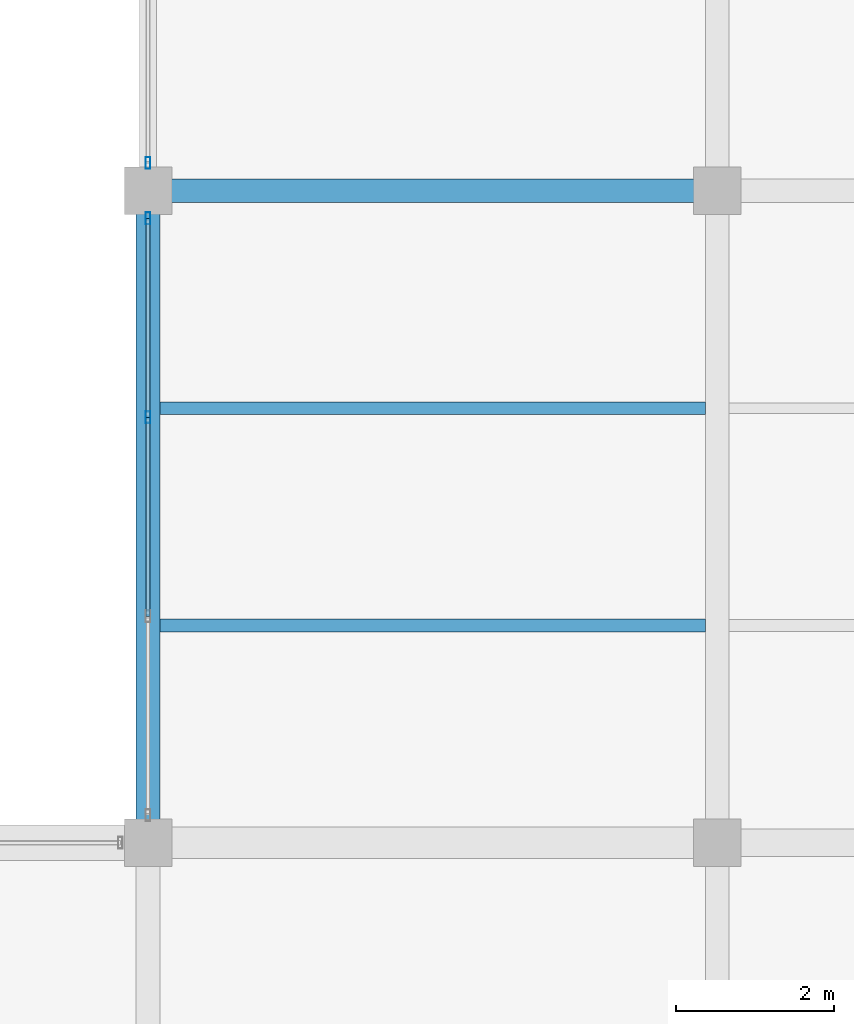
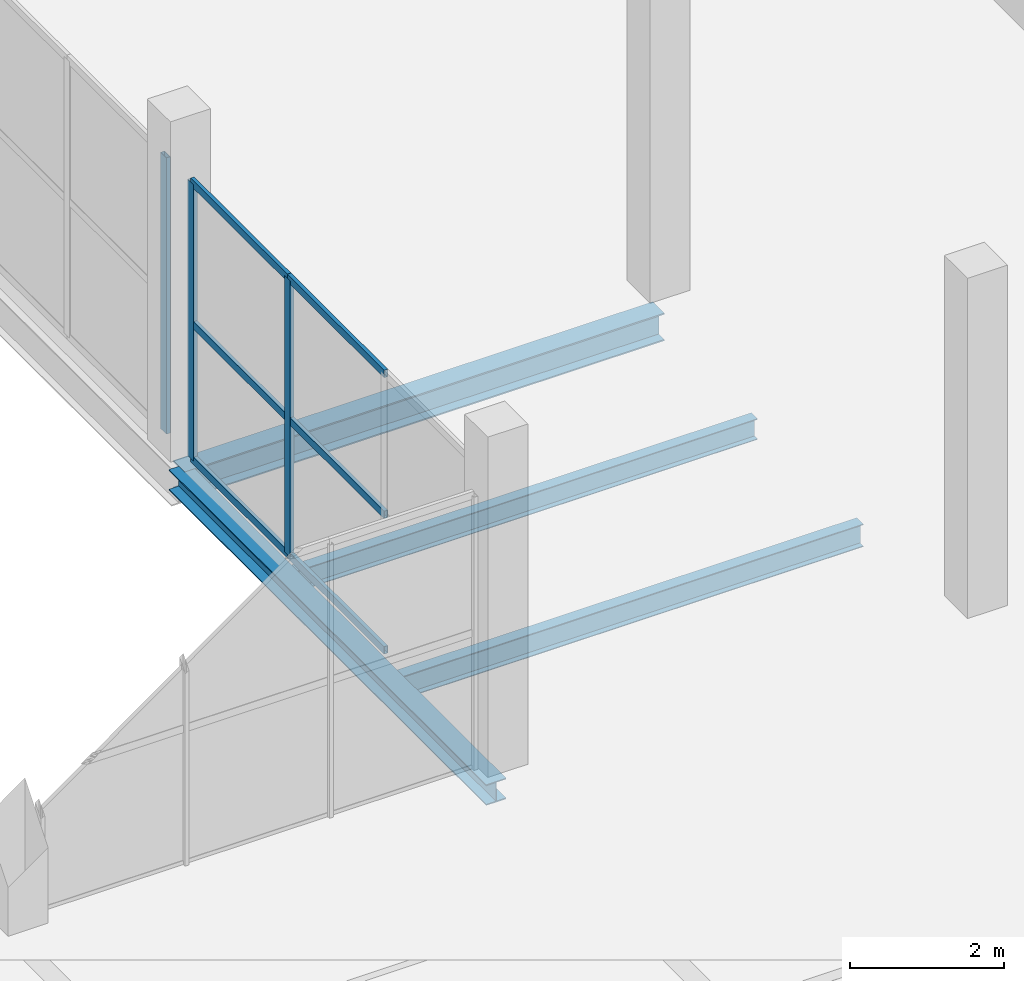
# One storey, part 92 of 141: 9 members, 4 beams, 2 elements without a shape of their own.
"""IFC4 building model written with IfcOpenShell, lengths in metres."""

import ifcopenshell
import ifcopenshell.guid

model = None  # the IFC model being written
_history = None  # IfcOwnerHistory: only IFC2X3 demands one
_inside = {}  # id of a spatial element -> (the spatial element, [elements in it])
_under = {}  # id of a project, library or spatial element -> (it, [spatial elements below it])
_declared = {}  # id of a project -> (the project, [libraries it declares])
_typed = {}  # id of a type object -> (the type object, [elements of that type])
_made_of = {}  # id of a material, layer set ... -> (it, [elements and type objects made of it])


def new_model(schema):
    """Start an empty IFC model of exactly this schema.

    Asked for "IFC4X3", IfcOpenShell would pick the latest addendum, in which some entities
    have other attributes; the version numbers below select the first issue.
    IFC2X3 requires an IfcOwnerHistory on every rooted entity: one is made here for all.
    """
    global model, _history
    if schema == "IFC4X3":
        model = ifcopenshell.file(schema_version=(4, 3, 0, 0))
    else:
        model = ifcopenshell.file(schema=schema)
    _inside.clear()
    _under.clear()
    _declared.clear()
    _typed.clear()
    _made_of.clear()
    _history = None
    if model.schema == "IFC2X3":
        org = make("IfcOrganization", Name="unknown")
        user = make(
            "IfcPersonAndOrganization",
            ThePerson=make("IfcPerson", FamilyName="unknown"),
            TheOrganization=org,
        )
        app = make(
            "IfcApplication",
            ApplicationDeveloper=org,
            Version="unknown",
            ApplicationFullName="unknown",
            ApplicationIdentifier="unknown",
        )
        _history = make(
            "IfcOwnerHistory",
            OwningUser=user,
            OwningApplication=app,
            ChangeAction="ADDED",
            CreationDate=0,
        )
    return model


def make(cls, **values):
    """One entity of the class cls with the attributes given. An attribute that is None is left unset."""
    return model.create_entity(
        cls, **{name: value for name, value in values.items() if value is not None}
    )


def rooted(cls, **values):
    """An entity with a GlobalId (a new one), such as an element, a storey or a relation."""
    return make(cls, GlobalId=ifcopenshell.guid.new(), OwnerHistory=_history, **values)


def si_unit(unit_type, name, prefix=None):
    """IfcSIUnit, for example si_unit("LENGTHUNIT", "METRE", prefix="MILLI")."""
    return make("IfcSIUnit", UnitType=unit_type, Prefix=prefix, Name=name)


def assignment(units):
    """IfcUnitAssignment: the units of a project."""
    return None if units is None else make("IfcUnitAssignment", Units=units)


def point(xyz):
    """IfcCartesianPoint."""
    return None if xyz is None else make("IfcCartesianPoint", Coordinates=xyz)


def direction(xyz):
    """IfcDirection."""
    return None if xyz is None else make("IfcDirection", DirectionRatios=xyz)


def frame(location, z_axis=None, x_axis=None):
    """IfcAxis2Placement3D, a coordinate frame: its origin and axes. An axis left out is left unset."""
    return make(
        "IfcAxis2Placement3D",
        Location=point(location),
        Axis=direction(z_axis),
        RefDirection=direction(x_axis),
    )


def frame_2d(location, x_axis=None):
    """IfcAxis2Placement2D, a coordinate frame in the plane: its origin and x axis."""
    return make(
        "IfcAxis2Placement2D", Location=point(location), RefDirection=direction(x_axis)
    )


def origin():
    """The frame at (0, 0, 0) with its axes left unset."""
    return frame((0.0, 0.0, 0.0))


def origin_2d():
    """The frame at (0, 0) in the plane with its x axis left unset."""
    return frame_2d((0.0, 0.0))


def place(relative_to, where):
    """IfcLocalPlacement: puts the frame where relative to a parent placement (None: the world)."""
    return make(
        "IfcLocalPlacement", PlacementRelTo=relative_to, RelativePlacement=where
    )


def context(
    kind, dimensions, precision=None, world=None, true_north=None, identifier=None
):
    """IfcGeometricRepresentationContext, for example the 3D "Model" context."""
    return make(
        "IfcGeometricRepresentationContext",
        ContextIdentifier=identifier,
        ContextType=kind,
        CoordinateSpaceDimension=dimensions,
        Precision=precision,
        WorldCoordinateSystem=world,
        TrueNorth=true_north,
    )


def subcontext(parent, identifier, kind, view, scale=None):
    """IfcGeometricRepresentationSubContext, for example "Body" below "Model"."""
    return make(
        "IfcGeometricRepresentationSubContext",
        ContextIdentifier=identifier,
        ContextType=kind,
        ParentContext=parent,
        TargetScale=scale,
        TargetView=view,
    )


def project(units=None, contexts=None):
    """IfcProject with its units and contexts."""
    return rooted(
        "IfcProject",
        Name="project",
        RepresentationContexts=contexts,
        UnitsInContext=assignment(units),
    )


def spatial(cls, under=None, at=None, **own):
    """A site, building, storey or space (cls), placed at a placement, below another one or the project."""
    s = rooted(cls, ObjectPlacement=at, **own)
    if under is not None:
        _under.setdefault(under.id(), (under, []))[1].append(s)
    return s


def profile(cls, at=None, kind="AREA", **sizes):
    """A parametric profile (cls). Its sizes go by their IFC names, for example OverallWidth=200.0."""
    return make(cls, ProfileType=kind, Position=at, **sizes)


def hollow_rectangle(**sizes):
    """IfcRectangleHollowProfileDef."""
    return profile("IfcRectangleHollowProfileDef", **sizes)


def i_section(**sizes):
    """IfcIShapeProfileDef."""
    return profile("IfcIShapeProfileDef", **sizes)


def extrude(swept, where, along, depth):
    """IfcExtrudedAreaSolid: the profile swept, set in the frame where, extruded along a direction by depth."""
    return make(
        "IfcExtrudedAreaSolid",
        SweptArea=swept,
        Position=where,
        ExtrudedDirection=direction(along),
        Depth=depth,
    )


def shape(context_of_items, identifier, shape_type, items):
    """IfcShapeRepresentation: the items that make up one representation, for example the "Body"."""
    return make(
        "IfcShapeRepresentation",
        ContextOfItems=context_of_items,
        RepresentationIdentifier=identifier,
        RepresentationType=shape_type,
        Items=items,
    )


def material(Name=None, Category=None):
    """IfcMaterial."""
    return make("IfcMaterial", Name=Name, Category=Category)


def layer(
    of_material, thickness, ventilated=None, Name=None, Category=None, Priority=None
):
    """IfcMaterialLayer: one layer of a wall or slab, of a material (None: an air gap)."""
    return make(
        "IfcMaterialLayer",
        Material=of_material,
        LayerThickness=thickness,
        IsVentilated=ventilated,
        Name=Name,
        Category=Category,
        Priority=Priority,
    )


def layer_set(layers, Name=None):
    """IfcMaterialLayerSet."""
    return make("IfcMaterialLayerSet", MaterialLayers=layers, LayerSetName=Name)


def material_profile(
    of_material, cross_section, Name=None, Category=None, Priority=None
):
    """IfcMaterialProfile: a cross section and its material."""
    return make(
        "IfcMaterialProfile",
        Name=Name,
        Material=of_material,
        Profile=cross_section,
        Priority=Priority,
        Category=Category,
    )


def profile_set(profiles, Name=None, composite=None):
    """IfcMaterialProfileSet."""
    return make(
        "IfcMaterialProfileSet",
        Name=Name,
        MaterialProfiles=profiles,
        CompositeProfile=composite,
    )


def made_of(thing, what):
    """Note that an element or type object is made of a material, layer set ...; save() writes the relation."""
    if what is not None:
        _made_of.setdefault(what.id(), (what, []))[1].append(thing)
    return thing


def type_object(cls, material=None, **own):
    """A type object (cls), such as IfcWallType, which elements share."""
    return made_of(rooted(cls, **own), material)


def element(
    cls,
    number,
    at=None,
    inside=None,
    cuts=None,
    type_object=None,
    material=None,
    context=None,
    identifier="Body",
    shape_type=None,
    held_by="IfcProductDefinitionShape",
    body=None,
    shapes=None,
    **own,
):
    """One element of the class cls, such as IfcWall. Its Tag is "e" and its number.

    at: its placement. inside: the storey or other place that contains it. cuts: it is an
    opening in that element (IfcRelVoidsElement). A single representation is given by context,
    identifier, shape_type and body (its items); several are given by shapes. held_by: the class
    of the entity that holds the representations. save() writes the other relations.
    """
    e = rooted(cls, Tag="e%d" % number, ObjectPlacement=at, **own)
    if body is not None:
        shapes = [shape(context, identifier, shape_type, body)]
    if shapes is not None:
        e.Representation = make(held_by, Representations=shapes)
    if inside is not None:
        _inside.setdefault(inside.id(), (inside, []))[1].append(e)
    if cuts is not None:
        rooted(
            "IfcRelVoidsElement", RelatingBuildingElement=cuts, RelatedOpeningElement=e
        )
    if type_object is not None:
        _typed.setdefault(type_object.id(), (type_object, []))[1].append(e)
    return made_of(e, material)


def aggregate(whole, parts):
    """IfcRelAggregates: a whole, such as a stair, and the parts it consists of."""
    return rooted("IfcRelAggregates", RelatingObject=whole, RelatedObjects=parts)


def save(model, path):
    """Write the relations noted so far, then the file.

    IfcRelAggregates (storeys below a building ...), IfcRelContainedInSpatialStructure (elements
    in a storey), IfcRelDefinesByType, IfcRelAssociatesMaterial and IfcRelDeclares: one each for
    every whole, place, type object, material and project.
    """
    for whole, parts in _under.values():
        aggregate(whole, parts)
    for where, things in _inside.values():
        rooted(
            "IfcRelContainedInSpatialStructure",
            RelatedElements=things,
            RelatingStructure=where,
        )
    for kind, things in _typed.values():
        rooted("IfcRelDefinesByType", RelatedObjects=things, RelatingType=kind)
    for what, things in _made_of.values():
        rooted("IfcRelAssociatesMaterial", RelatedObjects=things, RelatingMaterial=what)
    for by, libraries in _declared.values():
        rooted("IfcRelDeclares", RelatingContext=by, RelatedDefinitions=libraries)
    model.write(path)


model = new_model("IFC4")

# Units and contexts
model_context = context("Model", 3, precision=1e-05, world=origin(), true_north=direction((0.0, 1.0)))
body_context = subcontext(model_context, "Body", "Model", "MODEL_VIEW")
ifc_project = project(units=[si_unit("LENGTHUNIT", "METRE"), si_unit("AREAUNIT", "SQUARE_METRE"), si_unit("VOLUMEUNIT", "CUBIC_METRE"), si_unit("PLANEANGLEUNIT", "RADIAN"), si_unit("MASSUNIT", "GRAM", prefix="KILO")], contexts=[model_context])

# Site, building, storey
site_placement = place(None, origin())
site = spatial("IfcSite", under=ifc_project, at=site_placement, CompositionType="ELEMENT")
building_placement = place(site_placement, origin())
building = spatial("IfcBuilding", under=site, at=building_placement, Name="Sundgate Opera House", CompositionType="ELEMENT")
storey_placement = place(building_placement, frame((0.0, 0.0, 11.39990234375)))
storey = spatial("IfcBuildingStorey", under=building, at=storey_placement, Name="L02", CompositionType="ELEMENT", Elevation=11.39990234375)

# Beams
ifc_material_1 = material(Name="Steel S355J2", Category="steel")
ifc_material_profile_1 = material_profile(ifc_material_1, i_section(OverallWidth=0.300048828125, OverallDepth=0.330078125, WebThickness=0.009521484375, FlangeThickness=0.0166015625, at=origin_2d()), Name="HEA 340")
ifc_profile_set_1 = profile_set([ifc_material_profile_1], Name="Steel S355J2")
beam_type_1 = type_object("IfcBeamType", Name="BM-GR-HEA340", PredefinedType="BEAM", material=ifc_profile_set_1)
beam_1_placement = place(storey_placement, frame((153.0, 87.0, -0.514892578125), z_axis=(0.0, 1.0, 0.0), x_axis=(-1.0, 0.0, 0.0)))
element("IfcBeam", 1, at=beam_1_placement, inside=storey, type_object=beam_type_1, Name="L02 Primary N-S Girder B1936", PredefinedType="BEAM", context=body_context, shape_type="SweptSolid", body=[
    extrude(i_section(OverallWidth=0.300048828125, OverallDepth=0.330078125, WebThickness=0.009521484375, FlangeThickness=0.0166015625, at=origin_2d()), origin(), (0.0, 0.0, 1.0), 8.25),
])
ifc_material_2 = material(Name="Steel S355J2", Category="steel")
ifc_material_profile_2 = material_profile(ifc_material_2, i_section(OverallWidth=0.300048828125, OverallDepth=0.43994140625, WebThickness=0.011474609375, FlangeThickness=0.02099609375, at=origin_2d()), Name="HEA 450")
ifc_profile_set_2 = profile_set([ifc_material_profile_2], Name="Steel S355J2")
beam_type_2 = type_object("IfcBeamType", Name="BM-GR-HEA450", PredefinedType="BEAM", material=ifc_profile_set_2)
beam_2_placement = place(storey_placement, frame((153.0, 95.25, -0.56982421875), z_axis=(1.0, 0.0, 0.0), x_axis=(0.0, 1.0, 0.0)))
element("IfcBeam", 2, at=beam_2_placement, inside=storey, type_object=beam_type_2, Name="L02 Primary E-W Girder B2079", PredefinedType="BEAM", context=body_context, shape_type="SweptSolid", body=[
    extrude(i_section(OverallWidth=0.300048828125, OverallDepth=0.43994140625, WebThickness=0.011474609375, FlangeThickness=0.02099609375, at=origin_2d()), origin(), (0.0, 0.0, 1.0), 7.199951171875),
])
ifc_material_3 = material(Name="Steel S355J2", Category="steel")
ifc_material_profile_3 = material_profile(ifc_material_3, i_section(OverallWidth=0.159912109375, OverallDepth=0.330078125, WebThickness=0.007568359375, FlangeThickness=0.011474609375, at=origin_2d()), Name="IPE 330")
ifc_profile_set_3 = profile_set([ifc_material_profile_3], Name="Steel S355J2")
beam_type_3 = type_object("IfcBeamType", Name="BM-JS-IPE330", PredefinedType="JOIST", material=ifc_profile_set_3)
beam_3_placement = place(storey_placement, frame((153.14990234375, 92.5, -0.514892578125), z_axis=(1.0, 0.0, 0.0), x_axis=(0.0, 1.0, 0.0)))
element("IfcBeam", 3, at=beam_3_placement, inside=storey, type_object=beam_type_3, Name="L02 Secondary Floor Joist B2356", PredefinedType="JOIST", context=body_context, shape_type="SweptSolid", body=[
    extrude(i_section(OverallWidth=0.159912109375, OverallDepth=0.330078125, WebThickness=0.007568359375, FlangeThickness=0.011474609375, at=origin_2d()), origin(), (0.0, 0.0, 1.0), 6.900146484375),
])
ifc_material_4 = material(Name="Steel S355J2", Category="steel")
ifc_material_profile_4 = material_profile(ifc_material_4, i_section(OverallWidth=0.169921875, OverallDepth=0.360107421875, WebThickness=0.008056640625, FlangeThickness=0.0126953125, at=origin_2d()), Name="IPE 360")
ifc_profile_set_4 = profile_set([ifc_material_profile_4], Name="Steel S355J2")
beam_type_4 = type_object("IfcBeamType", Name="BM-JS-IPE360", PredefinedType="JOIST", material=ifc_profile_set_4)
beam_4_placement = place(storey_placement, frame((153.14990234375, 89.75, -0.52978515625), z_axis=(1.0, 0.0, 0.0), x_axis=(0.0, 1.0, 0.0)))
element("IfcBeam", 4, at=beam_4_placement, inside=storey, type_object=beam_type_4, Name="L02 Secondary Floor Joist B2355", PredefinedType="JOIST", context=body_context, shape_type="SweptSolid", body=[
    extrude(i_section(OverallWidth=0.169921875, OverallDepth=0.360107421875, WebThickness=0.008056640625, FlangeThickness=0.0126953125, at=origin_2d()), origin(), (0.0, 0.0, 1.0), 6.900146484375),
])

# Curtain wall, members
ifc_material_5 = material(Name="Anodized aluminium and low-iron glass", Category="aluminium")
ifc_layer = layer(ifc_material_5, 0.159912109375)
ifc_layer_set = layer_set([ifc_layer], Name="Anodized aluminium and low-iron glass")
curtain_wall_type = type_object("IfcCurtainWallType", Name="CW-STUDIO-DARK", PredefinedType="NOTDEFINED", material=ifc_layer_set)
curtain_wall_1_placement = place(storey_placement, origin())
curtain_wall_1 = element("IfcCurtainWall", 5, at=curtain_wall_1_placement, inside=storey, type_object=curtain_wall_type, Name="L02 Curtain Wall CW117", PredefinedType="NOTDEFINED")
ifc_material_6 = material(Name="Anodized aluminium EN AW-6063", Category="aluminium")
ifc_material_profile_5 = material_profile(ifc_material_6, hollow_rectangle(XDim=0.06005859375, YDim=0.14990234375, WallThickness=0.00390625, at=origin_2d()), Name="CWM 150x60x4")
ifc_profile_set_5 = profile_set([ifc_material_profile_5], Name="Anodized aluminium EN AW-6063")
member_type_1 = type_object("IfcMemberType", Name="CWM-ALU-150x60", PredefinedType="MULLION", material=ifc_profile_set_5)
member_1_placement = place(storey_placement, frame((153.0, 94.89990234375, 0.0), z_axis=(0.0, 0.0, 1.0), x_axis=(1.0, 0.0, 0.0)))
member_1 = element("IfcMember", 6, at=member_1_placement, type_object=member_type_1, Name="CW117 Mullion 1", PredefinedType="MULLION", context=body_context, shape_type="SweptSolid", body=[
    extrude(hollow_rectangle(XDim=0.06005859375, YDim=0.14990234375, WallThickness=0.00390625, at=origin_2d()), origin(), (0.0, 0.0, 1.0), 4.385009765625),
])
member_2_placement = place(storey_placement, frame((153.0, 92.38330078125, 0.0), z_axis=(0.0, 0.0, 1.0), x_axis=(1.0, 0.0, 0.0)))
member_2 = element("IfcMember", 7, at=member_2_placement, type_object=member_type_1, Name="CW117 Mullion 2", PredefinedType="MULLION", context=body_context, shape_type="SweptSolid", body=[
    extrude(hollow_rectangle(XDim=0.06005859375, YDim=0.14990234375, WallThickness=0.00390625, at=origin_2d()), origin(), (0.0, 0.0, 1.0), 4.385009765625),
])

# Curtain wall, member
curtain_wall_2_placement = place(storey_placement, origin())
curtain_wall_2 = element("IfcCurtainWall", 8, at=curtain_wall_2_placement, inside=storey, type_object=curtain_wall_type, Name="L02 Curtain Wall CW119", PredefinedType="NOTDEFINED")
member_3_placement = place(storey_placement, frame((153.0, 95.60009765625, 0.0), z_axis=(0.0, 0.0, 1.0), x_axis=(1.0, 0.0, 0.0)))
member_3 = element("IfcMember", 9, at=member_3_placement, type_object=member_type_1, Name="CW119 Mullion 4", PredefinedType="MULLION", context=body_context, shape_type="SweptSolid", body=[
    extrude(hollow_rectangle(XDim=0.06005859375, YDim=0.14990234375, WallThickness=0.00390625, at=origin_2d()), origin(), (0.0, 0.0, 1.0), 4.385009765625),
])
aggregate(curtain_wall_2, [member_3])

# Member
ifc_material_7 = material(Name="Anodized aluminium EN AW-6063", Category="aluminium")
ifc_material_profile_6 = material_profile(ifc_material_7, hollow_rectangle(XDim=0.054931640625, YDim=0.1201171875, WallThickness=0.00390625, at=origin_2d()), Name="CWT 120x55x4")
ifc_profile_set_6 = profile_set([ifc_material_profile_6], Name="Anodized aluminium EN AW-6063")
member_type_2 = type_object("IfcMemberType", Name="CWT-ALU-120x55", PredefinedType="USERDEFINED", material=ifc_profile_set_6)
member_4_placement = place(storey_placement, frame((153.0, 94.89990234375, 0.0), z_axis=(0.0, -1.0, 0.0), x_axis=(1.0, 0.0, 0.0)))
member_4 = element("IfcMember", 10, at=member_4_placement, type_object=member_type_2, Name="CW117 Transom 1", ObjectType="TRANSOM", PredefinedType="USERDEFINED", context=body_context, shape_type="SweptSolid", body=[
    extrude(hollow_rectangle(XDim=0.054931640625, YDim=0.1201171875, WallThickness=0.00390625, at=origin_2d()), origin(), (0.0, 0.0, 1.0), 2.5166015625),
])

member_5_placement = place(storey_placement, frame((153.0, 94.89990234375, 2.150146484375), z_axis=(0.0, -1.0, 0.0), x_axis=(1.0, 0.0, 0.0)))
member_5 = element("IfcMember", 11, at=member_5_placement, type_object=member_type_2, Name="CW117 Transom 2", ObjectType="TRANSOM", PredefinedType="USERDEFINED", context=body_context, shape_type="SweptSolid", body=[
    extrude(hollow_rectangle(XDim=0.054931640625, YDim=0.1201171875, WallThickness=0.00390625, at=origin_2d()), origin(), (0.0, 0.0, 1.0), 2.5166015625),
])

member_6_placement = place(storey_placement, frame((153.0, 94.89990234375, 4.385009765625), z_axis=(0.0, -1.0, 0.0), x_axis=(1.0, 0.0, 0.0)))
member_6 = element("IfcMember", 12, at=member_6_placement, type_object=member_type_2, Name="CW117 Transom 3", ObjectType="TRANSOM", PredefinedType="USERDEFINED", context=body_context, shape_type="SweptSolid", body=[
    extrude(hollow_rectangle(XDim=0.054931640625, YDim=0.1201171875, WallThickness=0.00390625, at=origin_2d()), origin(), (0.0, 0.0, 1.0), 2.5166015625),
])

member_7_placement = place(storey_placement, frame((153.0, 92.38330078125, 0.0), z_axis=(0.0, -1.0, 0.0), x_axis=(1.0, 0.0, 0.0)))
member_7 = element("IfcMember", 13, at=member_7_placement, type_object=member_type_2, Name="CW117 Transom 4", ObjectType="TRANSOM", PredefinedType="USERDEFINED", context=body_context, shape_type="SweptSolid", body=[
    extrude(hollow_rectangle(XDim=0.054931640625, YDim=0.1201171875, WallThickness=0.00390625, at=origin_2d()), origin(), (0.0, 0.0, 1.0), 2.5166015625),
])

member_8_placement = place(storey_placement, frame((153.0, 92.38330078125, 2.150146484375), z_axis=(0.0, -1.0, 0.0), x_axis=(1.0, 0.0, 0.0)))
member_8 = element("IfcMember", 14, at=member_8_placement, type_object=member_type_2, Name="CW117 Transom 5", ObjectType="TRANSOM", PredefinedType="USERDEFINED", context=body_context, shape_type="SweptSolid", body=[
    extrude(hollow_rectangle(XDim=0.054931640625, YDim=0.1201171875, WallThickness=0.00390625, at=origin_2d()), origin(), (0.0, 0.0, 1.0), 2.5166015625),
])

member_9_placement = place(storey_placement, frame((153.0, 92.38330078125, 4.385009765625), z_axis=(0.0, -1.0, 0.0), x_axis=(1.0, 0.0, 0.0)))
member_9 = element("IfcMember", 15, at=member_9_placement, type_object=member_type_2, Name="CW117 Transom 6", ObjectType="TRANSOM", PredefinedType="USERDEFINED", context=body_context, shape_type="SweptSolid", body=[
    extrude(hollow_rectangle(XDim=0.054931640625, YDim=0.1201171875, WallThickness=0.00390625, at=origin_2d()), origin(), (0.0, 0.0, 1.0), 2.5166015625),
])

aggregate(curtain_wall_1, [member_1, member_2, member_4, member_5, member_6, member_7, member_8, member_9])

save(model, "model.ifc")
